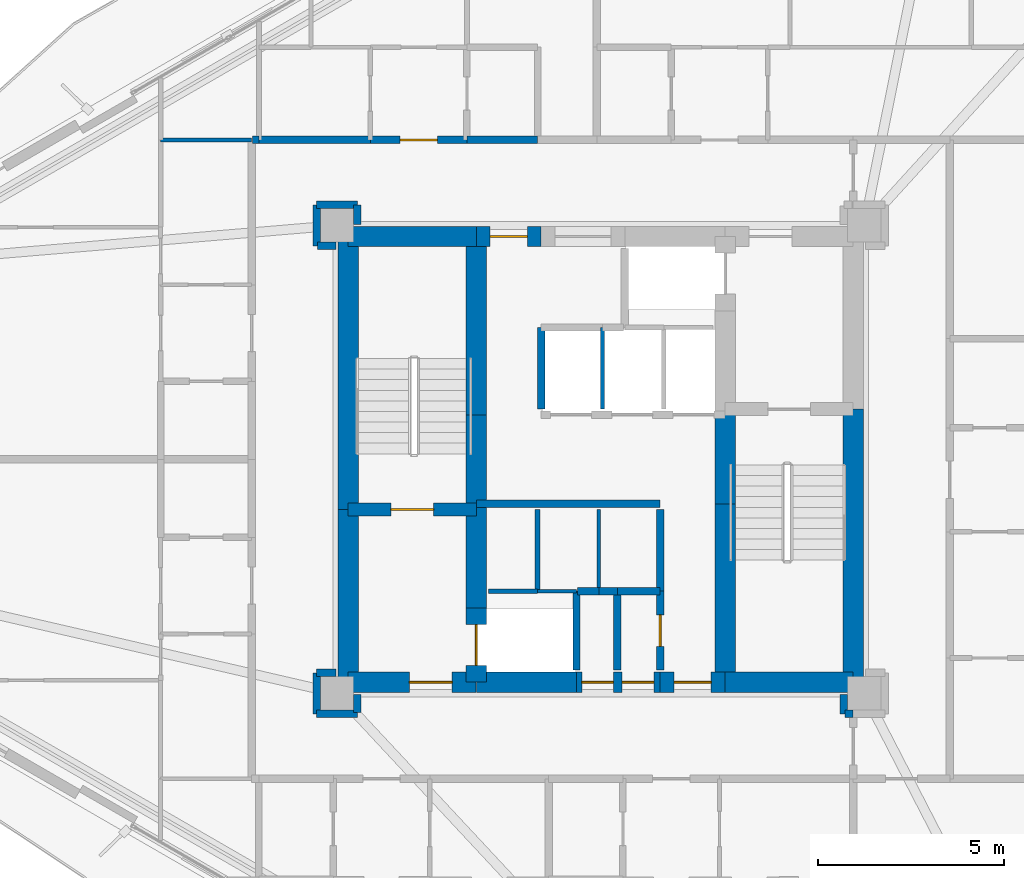
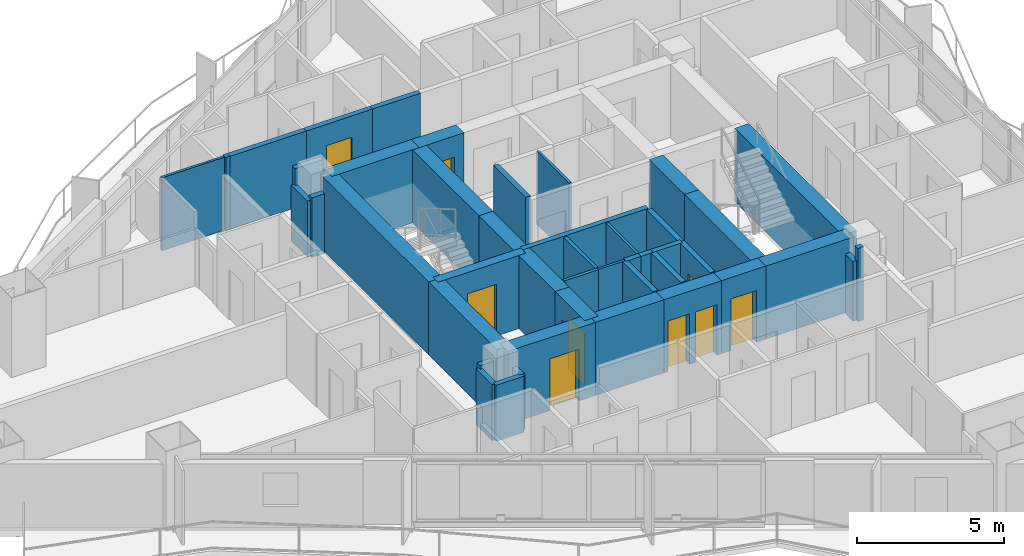
# One storey, part 13 of 18: 46 walls, 9 doors, 9 openings.
"""IFC4 building model written with IfcOpenShell, lengths in metres."""

import ifcopenshell
import ifcopenshell.guid

model = None  # the IFC model being written
_history = None  # IfcOwnerHistory: only IFC2X3 demands one
_inside = {}  # id of a spatial element -> (the spatial element, [elements in it])
_under = {}  # id of a project, library or spatial element -> (it, [spatial elements below it])
_declared = {}  # id of a project -> (the project, [libraries it declares])
_typed = {}  # id of a type object -> (the type object, [elements of that type])
_made_of = {}  # id of a material, layer set ... -> (it, [elements and type objects made of it])


def new_model(schema):
    """Start an empty IFC model of exactly this schema.

    Asked for "IFC4X3", IfcOpenShell would pick the latest addendum, in which some entities
    have other attributes; the version numbers below select the first issue.
    IFC2X3 requires an IfcOwnerHistory on every rooted entity: one is made here for all.
    """
    global model, _history
    if schema == "IFC4X3":
        model = ifcopenshell.file(schema_version=(4, 3, 0, 0))
    else:
        model = ifcopenshell.file(schema=schema)
    _inside.clear()
    _under.clear()
    _declared.clear()
    _typed.clear()
    _made_of.clear()
    _history = None
    if model.schema == "IFC2X3":
        org = make("IfcOrganization", Name="unknown")
        user = make(
            "IfcPersonAndOrganization",
            ThePerson=make("IfcPerson", FamilyName="unknown"),
            TheOrganization=org,
        )
        app = make(
            "IfcApplication",
            ApplicationDeveloper=org,
            Version="unknown",
            ApplicationFullName="unknown",
            ApplicationIdentifier="unknown",
        )
        _history = make(
            "IfcOwnerHistory",
            OwningUser=user,
            OwningApplication=app,
            ChangeAction="ADDED",
            CreationDate=0,
        )
    return model


def make(cls, **values):
    """One entity of the class cls with the attributes given. An attribute that is None is left unset."""
    return model.create_entity(
        cls, **{name: value for name, value in values.items() if value is not None}
    )


def rooted(cls, **values):
    """An entity with a GlobalId (a new one), such as an element, a storey or a relation."""
    return make(cls, GlobalId=ifcopenshell.guid.new(), OwnerHistory=_history, **values)


def si_unit(unit_type, name, prefix=None):
    """IfcSIUnit, for example si_unit("LENGTHUNIT", "METRE", prefix="MILLI")."""
    return make("IfcSIUnit", UnitType=unit_type, Prefix=prefix, Name=name)


def assignment(units):
    """IfcUnitAssignment: the units of a project."""
    return None if units is None else make("IfcUnitAssignment", Units=units)


def point(xyz):
    """IfcCartesianPoint."""
    return None if xyz is None else make("IfcCartesianPoint", Coordinates=xyz)


def direction(xyz):
    """IfcDirection."""
    return None if xyz is None else make("IfcDirection", DirectionRatios=xyz)


def frame(location, z_axis=None, x_axis=None):
    """IfcAxis2Placement3D, a coordinate frame: its origin and axes. An axis left out is left unset."""
    return make(
        "IfcAxis2Placement3D",
        Location=point(location),
        Axis=direction(z_axis),
        RefDirection=direction(x_axis),
    )


def frame_2d(location, x_axis=None):
    """IfcAxis2Placement2D, a coordinate frame in the plane: its origin and x axis."""
    return make(
        "IfcAxis2Placement2D", Location=point(location), RefDirection=direction(x_axis)
    )


def origin():
    """The frame at (0, 0, 0) with its axes left unset."""
    return frame((0.0, 0.0, 0.0))


def place(relative_to, where):
    """IfcLocalPlacement: puts the frame where relative to a parent placement (None: the world)."""
    return make(
        "IfcLocalPlacement", PlacementRelTo=relative_to, RelativePlacement=where
    )


def context(
    kind, dimensions, precision=None, world=None, true_north=None, identifier=None
):
    """IfcGeometricRepresentationContext, for example the 3D "Model" context."""
    return make(
        "IfcGeometricRepresentationContext",
        ContextIdentifier=identifier,
        ContextType=kind,
        CoordinateSpaceDimension=dimensions,
        Precision=precision,
        WorldCoordinateSystem=world,
        TrueNorth=true_north,
    )


def subcontext(parent, identifier, kind, view, scale=None):
    """IfcGeometricRepresentationSubContext, for example "Body" below "Model"."""
    return make(
        "IfcGeometricRepresentationSubContext",
        ContextIdentifier=identifier,
        ContextType=kind,
        ParentContext=parent,
        TargetScale=scale,
        TargetView=view,
    )


def project(units=None, contexts=None):
    """IfcProject with its units and contexts."""
    return rooted(
        "IfcProject",
        Name="project",
        RepresentationContexts=contexts,
        UnitsInContext=assignment(units),
    )


def spatial(cls, under=None, at=None, **own):
    """A site, building, storey or space (cls), placed at a placement, below another one or the project."""
    s = rooted(cls, ObjectPlacement=at, **own)
    if under is not None:
        _under.setdefault(under.id(), (under, []))[1].append(s)
    return s


def profile(cls, at=None, kind="AREA", **sizes):
    """A parametric profile (cls). Its sizes go by their IFC names, for example OverallWidth=200.0."""
    return make(cls, ProfileType=kind, Position=at, **sizes)


def rectangle(**sizes):
    """IfcRectangleProfileDef."""
    return profile("IfcRectangleProfileDef", **sizes)


def extrude(swept, where, along, depth):
    """IfcExtrudedAreaSolid: the profile swept, set in the frame where, extruded along a direction by depth."""
    return make(
        "IfcExtrudedAreaSolid",
        SweptArea=swept,
        Position=where,
        ExtrudedDirection=direction(along),
        Depth=depth,
    )


def shape(context_of_items, identifier, shape_type, items):
    """IfcShapeRepresentation: the items that make up one representation, for example the "Body"."""
    return make(
        "IfcShapeRepresentation",
        ContextOfItems=context_of_items,
        RepresentationIdentifier=identifier,
        RepresentationType=shape_type,
        Items=items,
    )


def material(Name=None, Category=None):
    """IfcMaterial."""
    return make("IfcMaterial", Name=Name, Category=Category)


def layer(
    of_material, thickness, ventilated=None, Name=None, Category=None, Priority=None
):
    """IfcMaterialLayer: one layer of a wall or slab, of a material (None: an air gap)."""
    return make(
        "IfcMaterialLayer",
        Material=of_material,
        LayerThickness=thickness,
        IsVentilated=ventilated,
        Name=Name,
        Category=Category,
        Priority=Priority,
    )


def layer_set(layers, Name=None):
    """IfcMaterialLayerSet."""
    return make("IfcMaterialLayerSet", MaterialLayers=layers, LayerSetName=Name)


def made_of(thing, what):
    """Note that an element or type object is made of a material, layer set ...; save() writes the relation."""
    if what is not None:
        _made_of.setdefault(what.id(), (what, []))[1].append(thing)
    return thing


def type_object(cls, material=None, **own):
    """A type object (cls), such as IfcWallType, which elements share."""
    return made_of(rooted(cls, **own), material)


def element(
    cls,
    number,
    at=None,
    inside=None,
    cuts=None,
    type_object=None,
    material=None,
    context=None,
    identifier="Body",
    shape_type=None,
    held_by="IfcProductDefinitionShape",
    body=None,
    shapes=None,
    **own,
):
    """One element of the class cls, such as IfcWall. Its Tag is "e" and its number.

    at: its placement. inside: the storey or other place that contains it. cuts: it is an
    opening in that element (IfcRelVoidsElement). A single representation is given by context,
    identifier, shape_type and body (its items); several are given by shapes. held_by: the class
    of the entity that holds the representations. save() writes the other relations.
    """
    e = rooted(cls, Tag="e%d" % number, ObjectPlacement=at, **own)
    if body is not None:
        shapes = [shape(context, identifier, shape_type, body)]
    if shapes is not None:
        e.Representation = make(held_by, Representations=shapes)
    if inside is not None:
        _inside.setdefault(inside.id(), (inside, []))[1].append(e)
    if cuts is not None:
        rooted(
            "IfcRelVoidsElement", RelatingBuildingElement=cuts, RelatedOpeningElement=e
        )
    if type_object is not None:
        _typed.setdefault(type_object.id(), (type_object, []))[1].append(e)
    return made_of(e, material)


def fill(opening, filler):
    """IfcRelFillsElement: the door or window that sits in an opening."""
    return rooted(
        "IfcRelFillsElement",
        RelatingOpeningElement=opening,
        RelatedBuildingElement=filler,
    )


def aggregate(whole, parts):
    """IfcRelAggregates: a whole, such as a stair, and the parts it consists of."""
    return rooted("IfcRelAggregates", RelatingObject=whole, RelatedObjects=parts)


def save(model, path):
    """Write the relations noted so far, then the file.

    IfcRelAggregates (storeys below a building ...), IfcRelContainedInSpatialStructure (elements
    in a storey), IfcRelDefinesByType, IfcRelAssociatesMaterial and IfcRelDeclares: one each for
    every whole, place, type object, material and project.
    """
    for whole, parts in _under.values():
        aggregate(whole, parts)
    for where, things in _inside.values():
        rooted(
            "IfcRelContainedInSpatialStructure",
            RelatedElements=things,
            RelatingStructure=where,
        )
    for kind, things in _typed.values():
        rooted("IfcRelDefinesByType", RelatedObjects=things, RelatingType=kind)
    for what, things in _made_of.values():
        rooted("IfcRelAssociatesMaterial", RelatedObjects=things, RelatingMaterial=what)
    for by, libraries in _declared.values():
        rooted("IfcRelDeclares", RelatingContext=by, RelatedDefinitions=libraries)
    model.write(path)


model = new_model("IFC4")

# Units and contexts
model_context = context("Model", 3, precision=1e-05, world=origin(), true_north=direction((0.0, 1.0)))
body_context = subcontext(model_context, "Body", "Model", "MODEL_VIEW")
ifc_project = project(units=[si_unit("LENGTHUNIT", "METRE"), si_unit("AREAUNIT", "SQUARE_METRE"), si_unit("VOLUMEUNIT", "CUBIC_METRE"), si_unit("PLANEANGLEUNIT", "RADIAN"), si_unit("MASSUNIT", "GRAM", prefix="KILO")], contexts=[model_context])

# Site, building, storey
site_placement = place(None, origin())
site = spatial("IfcSite", under=ifc_project, at=site_placement, CompositionType="ELEMENT")
building_placement = place(site_placement, origin())
building = spatial("IfcBuilding", under=site, at=building_placement, Name="Mersakhor Tower and Convention Hall", CompositionType="ELEMENT")
storey_placement = place(building_placement, frame((0.0, 0.0, 39.0)))
storey = spatial("IfcBuildingStorey", under=building, at=storey_placement, Name="L10", CompositionType="ELEMENT", Elevation=39.0)

# Walls
ifc_material_1 = material(Name="Lightweight gypsum partition", Category="other")
ifc_layer_1 = layer(ifc_material_1, 0.10009765625)
ifc_layer_set_1 = layer_set([ifc_layer_1], Name="Lightweight gypsum partition")
wall_type_1 = type_object("IfcWallType", Name="WL-PRT-100", PredefinedType="PARTITIONING", material=ifc_layer_set_1)
wall_1_placement = place(storey_placement, frame((27.300048828125, 23.199951171875, 0.0), z_axis=(0.0, 0.0, 1.0), x_axis=(1.0, 0.0, 0.0)))
element("IfcWall", 1, at=wall_1_placement, inside=storey, type_object=wall_type_1, Name="L10 Interior Partition Wall P-002", PredefinedType="PARTITIONING", context=body_context, shape_type="SweptSolid", body=[
    extrude(rectangle(XDim=1.050048828125, YDim=0.10009765625, at=frame_2d((0.52490234375, 0.0))), origin(), (0.0, 0.0, 1.0), 3.0400390625),
])
for number, where, z_axis, x_axis, name in (
    (2, (28.949951171875, 25.39990234375, 0.0), (0.0, 0.0, 1.0), (0.0, -1.0, 0.0), "L10 Interior Partition Wall P-008"),
    (3, (29.050048828125, 30.300048828125, 0.0), (0.0, 0.0, 1.0), (0.0, -1.0, 0.0), "L10 Interior Partition Wall P-014"),
):
    element("IfcWall", number, at=place(storey_placement, frame(where, z_axis=z_axis, x_axis=x_axis)), inside=storey, type_object=wall_type_1, Name=name, PredefinedType="PARTITIONING", context=body_context, shape_type="SweptSolid", body=[
        extrude(rectangle(XDim=2.199951171875, YDim=0.10009765625, at=frame_2d((1.10009765625, 0.0))), origin(), (0.0, 0.0, 1.0), 3.0400390625),
    ])
wall_2_placement = place(storey_placement, frame((17.14990234375, 35.35009765625, 0.0), z_axis=(0.0, 0.0, 1.0), x_axis=(1.0, 0.0, 0.0)))
element("IfcWall", 4, at=wall_2_placement, inside=storey, type_object=wall_type_1, Name="L10 Interior Partition Wall P-112", PredefinedType="PARTITIONING", context=body_context, shape_type="SweptSolid", body=[
    extrude(rectangle(XDim=2.4501953125, YDim=0.10009765625, at=frame_2d((1.22509765625, 0.0))), origin(), (0.0, 0.0, 1.0), 3.0400390625),
])
ifc_material_2 = material(Name="Gypsum board acoustic partition", Category="other")
ifc_layer_2 = layer(ifc_material_2, 0.125)
ifc_layer_set_2 = layer_set([ifc_layer_2], Name="Gypsum board acoustic partition")
wall_type_2 = type_object("IfcWallType", Name="WL-PRT-125", PredefinedType="PARTITIONING", material=ifc_layer_set_2)
wall_3_placement = place(storey_placement, frame((25.97509765625, 23.199951171875, 0.0), z_axis=(0.0, 0.0, 1.0), x_axis=(1.0, 0.0, 0.0)))
element("IfcWall", 5, at=wall_3_placement, inside=storey, type_object=wall_type_2, Name="L10 Interior Partition Wall P-001", PredefinedType="PARTITIONING", context=body_context, shape_type="SweptSolid", body=[
    extrude(rectangle(XDim=1.324951171875, YDim=0.125, at=frame_2d((0.66259765625, 0.0))), origin(), (0.0, 0.0, 1.0), 3.0400390625),
])
wall_4_placement = place(storey_placement, frame((27.300048828125, 25.39990234375, 0.0), z_axis=(0.0, 0.0, 1.0), x_axis=(0.0, -1.0, 0.0)))
element("IfcWall", 6, at=wall_4_placement, inside=storey, type_object=wall_type_2, Name="L10 Interior Partition Wall P-007", PredefinedType="PARTITIONING", context=body_context, shape_type="SweptSolid", body=[
    extrude(rectangle(XDim=2.199951171875, YDim=0.125, at=frame_2d((1.10009765625, 0.0))), origin(), (0.0, 0.0, 1.0), 3.0400390625),
])
ifc_material_3 = material(Name="Acoustic concrete blockwork and gypsum board", Category="masonry")
ifc_layer_3 = layer(ifc_material_3, 0.199951171875)
ifc_layer_set_3 = layer_set([ifc_layer_3], Name="Acoustic concrete blockwork and gypsum board")
wall_type_3 = type_object("IfcWallType", Name="WL-PRT-200", PredefinedType="PARTITIONING", material=ifc_layer_set_3)
wall_5_placement = place(storey_placement, frame((25.64990234375, 25.550048828125, 0.0), z_axis=(0.0, 0.0, 1.0), x_axis=(1.0, 0.0, 0.0)))
element("IfcWall", 7, at=wall_5_placement, inside=storey, type_object=wall_type_3, Name="L10 High-Rise Lift Bank Front Wall", PredefinedType="PARTITIONING", context=body_context, shape_type="SweptSolid", body=[
    extrude(rectangle(XDim=4.9501953125, YDim=0.199951171875, at=frame_2d((2.47509765625, 0.0))), origin(), (0.0, 0.0, 1.0), 3.0400390625),
])
wall_6_placement = place(storey_placement, frame((28.35009765625, 23.199951171875, 0.0), z_axis=(0.0, 0.0, 1.0), x_axis=(0.0, -1.0, 0.0)))
element("IfcWall", 8, at=wall_6_placement, inside=storey, type_object=wall_type_3, Name="L10 Interior Partition Wall P-003", PredefinedType="PARTITIONING", context=body_context, shape_type="SweptSolid", body=[
    extrude(rectangle(XDim=2.125, YDim=0.199951171875, at=frame_2d((1.0625, 0.0))), origin(), (0.0, 0.0, 1.0), 3.0400390625),
])
wall_7_placement = place(storey_placement, frame((28.949951171875, 23.199951171875, 0.0), z_axis=(0.0, 0.0, 1.0), x_axis=(-1.0, 0.0, 0.0)))
element("IfcWall", 9, at=wall_7_placement, inside=storey, type_object=wall_type_3, Name="L10 Interior Partition Wall P-009", PredefinedType="PARTITIONING", context=body_context, shape_type="SweptSolid", body=[
    extrude(rectangle(XDim=0.570068359375, YDim=0.199951171875, at=frame_2d((0.28515625, 0.0))), origin(), (0.0, 0.0, 1.0), 3.0400390625),
])
wall_8_placement = place(storey_placement, frame((30.60009765625, 25.39990234375, 0.0), z_axis=(0.0, 0.0, 1.0), x_axis=(0.0, -1.0, 0.0)))
element("IfcWall", 10, at=wall_8_placement, inside=storey, type_object=wall_type_3, Name="L10 Interior Partition Wall P-010", PredefinedType="PARTITIONING", context=body_context, shape_type="SweptSolid", body=[
    extrude(rectangle(XDim=2.199951171875, YDim=0.199951171875, at=frame_2d((1.10009765625, 0.0))), origin(), (0.0, 0.0, 1.0), 3.0400390625),
])
wall_9_placement = place(storey_placement, frame((30.60009765625, 23.199951171875, 0.0), z_axis=(0.0, 0.0, 1.0), x_axis=(-1.0, 0.0, 0.0)))
element("IfcWall", 11, at=wall_9_placement, inside=storey, type_object=wall_type_3, Name="L10 Interior Partition Wall P-011", PredefinedType="PARTITIONING", context=body_context, shape_type="SweptSolid", body=[
    extrude(rectangle(XDim=1.150146484375, YDim=0.199951171875, at=frame_2d((0.5751953125, 0.0))), origin(), (0.0, 0.0, 1.0), 3.0400390625),
])
wall_10_placement = place(storey_placement, frame((29.449951171875, 23.199951171875, 0.0), z_axis=(0.0, 0.0, 1.0), x_axis=(-1.0, 0.0, 0.0)))
element("IfcWall", 12, at=wall_10_placement, inside=storey, type_object=wall_type_3, Name="L10 Interior Partition Wall P-012", PredefinedType="PARTITIONING", context=body_context, shape_type="SweptSolid", body=[
    extrude(rectangle(XDim=0.5, YDim=0.199951171875, at=frame_2d((0.25, 0.0))), origin(), (0.0, 0.0, 1.0), 3.0400390625),
])
wall_11_placement = place(storey_placement, frame((27.39990234375, 28.10009765625, 0.0), z_axis=(0.0, 0.0, 1.0), x_axis=(0.0, 1.0, 0.0)))
element("IfcWall", 13, at=wall_11_placement, inside=storey, type_object=wall_type_3, Name="L10 Interior Partition Wall P-015", PredefinedType="PARTITIONING", context=body_context, shape_type="SweptSolid", body=[
    extrude(rectangle(XDim=2.199951171875, YDim=0.199951171875, at=frame_2d((1.10009765625, 0.0))), origin(), (0.0, 0.0, 1.0), 3.0400390625),
])

# Wall, opening, door
wall_12_placement = place(storey_placement, frame((30.60009765625, 21.074951171875, 0.0), z_axis=(0.0, 0.0, 1.0), x_axis=(0.0, 1.0, 0.0)))
wall_12 = element("IfcWall", 14, at=wall_12_placement, inside=storey, type_object=wall_type_3, Name="L10 Interior Partition Wall P-018", PredefinedType="PARTITIONING", context=body_context, shape_type="SweptSolid", body=[
    extrude(rectangle(XDim=2.125, YDim=0.199951171875, at=frame_2d((1.0625, 0.0))), origin(), (0.0, 0.0, 1.0), 3.0400390625),
])
opening_1_placement = place(wall_12_placement, frame((0.637451171875, 0.0, 0.0)))
opening_1 = element("IfcOpeningElement", 15, at=opening_1_placement, cuts=wall_12, Name="Opening SVD-01", PredefinedType="OPENING", context=body_context, shape_type="SweptSolid", body=[
    extrude(rectangle(XDim=0.85009765625, YDim=2.10009765625, at=frame_2d((0.425048828125, 1.050048828125))), frame((0.0, 0.10986328125, 0.0), z_axis=(0.0, -1.0, 0.0), x_axis=(1.0, 0.0, 0.0)), (0.0, 0.0, 1.0), 0.219970703125),
])
ifc_material_4 = material(Name="Fire-rated hardwood leaf and painted steel frame", Category="steel")
door_type_1 = type_object("IfcDoorType", Name="DR-INT-SVC-085x210", OperationType="NOTDEFINED", PredefinedType="DOOR", material=ifc_material_4)
door_1_placement = place(opening_1_placement, origin())
door_1 = element("IfcDoor", 16, at=door_1_placement, inside=storey, type_object=door_type_1, Name="L10 Central Passenger Lift Lobby to Core Maintenance Store Room Door", OperationType="SINGLE_SWING_LEFT", OverallHeight=2.10009765625, OverallWidth=0.85009765625, PredefinedType="DOOR", context=body_context, shape_type="SweptSolid", body=[
    extrude(rectangle(XDim=0.85009765625, YDim=2.10009765625, at=frame_2d((0.425048828125, 1.050048828125))), frame((0.0, 0.02490234375, 0.0), z_axis=(0.0, -1.0, 0.0), x_axis=(1.0, 0.0, 0.0)), (0.0, 0.0, 1.0), 0.050048828125),
])
fill(opening_1, door_1)

# Walls
wall_13_placement = place(storey_placement, frame((21.35009765625, 19.89990234375, 0.0), z_axis=(0.0, 0.0, 1.0), x_axis=(1.0, 0.0, 0.0)))
element("IfcWall", 17, at=wall_13_placement, inside=storey, type_object=wall_type_3, Name="L10 Interior Partition Wall P-019", PredefinedType="PARTITIONING", context=body_context, shape_type="SweptSolid", body=[
    extrude(rectangle(XDim=1.099853515625, YDim=0.199951171875, at=frame_2d((0.5498046875, 0.0))), origin(), (0.0, 0.0, 1.0), 2.33740234375),
])
wall_14_placement = place(storey_placement, frame((22.449951171875, 19.929931640625, 0.0), z_axis=(0.0, 0.0, 1.0), x_axis=(0.0, 1.0, 0.0)))
element("IfcWall", 18, at=wall_14_placement, inside=storey, type_object=wall_type_3, Name="L10 Interior Partition Wall P-020", PredefinedType="PARTITIONING", context=body_context, shape_type="SweptSolid", body=[
    extrude(rectangle(XDim=0.4951171875, YDim=0.199951171875, at=frame_2d((0.24755859375, 0.0))), origin(), (0.0, 0.0, 1.0), 2.33740234375),
])
wall_15_placement = place(storey_placement, frame((35.550048828125, 20.425048828125, 0.0), z_axis=(0.0, 0.0, 1.0), x_axis=(0.0, -1.0, 0.0)))
element("IfcWall", 19, at=wall_15_placement, inside=storey, type_object=wall_type_3, Name="L10 Interior Partition Wall P-021", PredefinedType="PARTITIONING", context=body_context, shape_type="SweptSolid", body=[
    extrude(rectangle(XDim=0.525146484375, YDim=0.199951171875, at=frame_2d((0.2626953125, 0.0))), origin(), (0.0, 0.0, 1.0), 2.48828125),
])
wall_16_placement = place(storey_placement, frame((35.580078125, 19.89990234375, 0.0), z_axis=(0.0, 0.0, 1.0), x_axis=(1.0, 0.0, 0.0)))
element("IfcWall", 20, at=wall_16_placement, inside=storey, type_object=wall_type_3, Name="L10 Interior Partition Wall P-022", PredefinedType="PARTITIONING", context=body_context, shape_type="SweptSolid", body=[
    extrude(rectangle(XDim=0.219970703125, YDim=0.199951171875, at=frame_2d((0.10986328125, 0.0))), origin(), (0.0, 0.0, 1.0), 3.0400390625),
])
wall_17_placement = place(storey_placement, frame((19.6298828125, 35.35009765625, 0.0), z_axis=(0.0, 0.0, 1.0), x_axis=(1.0, 0.0, 0.0)))
element("IfcWall", 21, at=wall_17_placement, inside=storey, type_object=wall_type_3, Name="L10 Interior Partition Wall P-037", PredefinedType="PARTITIONING", context=body_context, shape_type="SweptSolid", body=[
    extrude(rectangle(XDim=0.170166015625, YDim=0.199951171875, at=frame_2d((0.0849609375, 0.0))), origin(), (0.0, 0.0, 1.0), 3.0400390625),
])
wall_18_placement = place(storey_placement, frame((19.800048828125, 35.35009765625, 0.0), z_axis=(0.0, 0.0, 1.0), x_axis=(1.0, 0.0, 0.0)))
element("IfcWall", 22, at=wall_18_placement, inside=storey, type_object=wall_type_3, Name="L10 Interior Partition Wall P-038", PredefinedType="PARTITIONING", context=body_context, shape_type="SweptSolid", body=[
    extrude(rectangle(XDim=3.0, YDim=0.199951171875, at=frame_2d((1.5, 0.0))), origin(), (0.0, 0.0, 1.0), 3.0400390625),
])

# Wall, opening, door
wall_19_placement = place(storey_placement, frame((22.800048828125, 35.35009765625, 0.0), z_axis=(0.0, 0.0, 1.0), x_axis=(1.0, 0.0, 0.0)))
wall_19 = element("IfcWall", 23, at=wall_19_placement, inside=storey, type_object=wall_type_3, Name="L10 Interior Partition Wall P-039", PredefinedType="PARTITIONING", context=body_context, shape_type="SweptSolid", body=[
    extrude(rectangle(XDim=2.599853515625, YDim=0.199951171875, at=frame_2d((1.2998046875, 0.0))), origin(), (0.0, 0.0, 1.0), 3.0400390625),
])
opening_2_placement = place(wall_19_placement, frame((0.800048828125, 0.0, 0.0)))
opening_2 = element("IfcOpeningElement", 24, at=opening_2_placement, cuts=wall_19, Name="Opening FD-01", PredefinedType="OPENING", context=body_context, shape_type="SweptSolid", body=[
    extrude(rectangle(XDim=1.0, YDim=2.14990234375, at=frame_2d((0.5, 1.074951171875))), frame((0.0, 0.10986328125, 0.0), z_axis=(0.0, -1.0, 0.0), x_axis=(1.0, 0.0, 0.0)), (0.0, 0.0, 1.0), 0.219970703125),
])
ifc_material_5 = material(Name="Fire-rated hardwood leaf and painted steel frame", Category="steel")
door_type_2 = type_object("IfcDoorType", Name="DR-INT-FLT-100x215", OperationType="NOTDEFINED", PredefinedType="DOOR", material=ifc_material_5)
door_2_placement = place(opening_2_placement, origin())
door_2 = element("IfcDoor", 25, at=door_2_placement, inside=storey, type_object=door_type_2, Name="L10 Apartment Entrance Door (Residential Ring Corridor to L10 Flat N1 Apartment Hall)", OperationType="SINGLE_SWING_RIGHT", OverallHeight=2.14990234375, OverallWidth=1.0, PredefinedType="DOOR", context=body_context, shape_type="SweptSolid", body=[
    extrude(rectangle(XDim=1.0, YDim=2.14990234375, at=frame_2d((0.5, 1.074951171875))), frame((0.0, 0.02490234375, 0.0), z_axis=(0.0, -1.0, 0.0), x_axis=(1.0, 0.0, 0.0)), (0.0, 0.0, 1.0), 0.050048828125),
])
fill(opening_2, door_2)

# Walls
wall_20_placement = place(storey_placement, frame((25.39990234375, 35.35009765625, 0.0), z_axis=(0.0, 0.0, 1.0), x_axis=(1.0, 0.0, 0.0)))
element("IfcWall", 26, at=wall_20_placement, inside=storey, type_object=wall_type_3, Name="L10 Interior Partition Wall P-040", PredefinedType="PARTITIONING", context=body_context, shape_type="SweptSolid", body=[
    extrude(rectangle(XDim=1.900146484375, YDim=0.199951171875, at=frame_2d((0.9501953125, 0.0))), origin(), (0.0, 0.0, 1.0), 3.0400390625),
])
wall_21_placement = place(storey_placement, frame((22.449951171875, 33.074951171875, 0.0), z_axis=(0.0, 0.0, 1.0), x_axis=(0.0, 1.0, 0.0)))
element("IfcWall", 27, at=wall_21_placement, inside=storey, type_object=wall_type_3, Name="L10 Interior Partition Wall P-048", PredefinedType="PARTITIONING", context=body_context, shape_type="SweptSolid", body=[
    extrude(rectangle(XDim=0.525146484375, YDim=0.199951171875, at=frame_2d((0.2626953125, 0.0))), origin(), (0.0, 0.0, 1.0), 2.48828125),
])
wall_22_placement = place(storey_placement, frame((22.449951171875, 33.60009765625, 0.0), z_axis=(0.0, 0.0, 1.0), x_axis=(-1.0, 0.0, 0.0)))
element("IfcWall", 28, at=wall_22_placement, inside=storey, type_object=wall_type_3, Name="L10 Interior Partition Wall P-049", PredefinedType="PARTITIONING", context=body_context, shape_type="SweptSolid", body=[
    extrude(rectangle(XDim=1.099853515625, YDim=0.199951171875, at=frame_2d((0.5498046875, 0.0))), origin(), (0.0, 0.0, 1.0), 3.0400390625),
])
wall_23_placement = place(storey_placement, frame((21.35009765625, 33.60009765625, 0.0), z_axis=(0.0, 0.0, 1.0), x_axis=(0.0, -1.0, 0.0)))
element("IfcWall", 29, at=wall_23_placement, inside=storey, type_object=wall_type_3, Name="L10 Interior Partition Wall P-050", PredefinedType="PARTITIONING", context=body_context, shape_type="SweptSolid", body=[
    extrude(rectangle(XDim=1.10009765625, YDim=0.199951171875, at=frame_2d((0.550048828125, 0.0))), origin(), (0.0, 0.0, 1.0), 2.33740234375),
])
wall_24_placement = place(storey_placement, frame((21.3798828125, 32.5, 0.0), z_axis=(0.0, 0.0, 1.0), x_axis=(1.0, 0.0, 0.0)))
element("IfcWall", 30, at=wall_24_placement, inside=storey, type_object=wall_type_3, Name="L10 Interior Partition Wall P-051", PredefinedType="PARTITIONING", context=body_context, shape_type="SweptSolid", body=[
    extrude(rectangle(XDim=0.4951171875, YDim=0.199951171875, at=frame_2d((0.24755859375, 0.0))), origin(), (0.0, 0.0, 1.0), 2.48828125),
])
wall_25_placement = place(storey_placement, frame((21.875, 21.0, 0.0), z_axis=(0.0, 0.0, 1.0), x_axis=(-1.0, 0.0, 0.0)))
element("IfcWall", 31, at=wall_25_placement, inside=storey, type_object=wall_type_3, Name="L10 Interior Partition Wall P-052", PredefinedType="PARTITIONING", context=body_context, shape_type="SweptSolid", body=[
    extrude(rectangle(XDim=0.52490234375, YDim=0.199951171875, at=frame_2d((0.262451171875, 0.0))), origin(), (0.0, 0.0, 1.0), 2.48828125),
])
wall_26_placement = place(storey_placement, frame((21.35009765625, 21.0, 0.0), z_axis=(0.0, 0.0, 1.0), x_axis=(0.0, -1.0, 0.0)))
element("IfcWall", 32, at=wall_26_placement, inside=storey, type_object=wall_type_3, Name="L10 Interior Partition Wall P-053", PredefinedType="PARTITIONING", context=body_context, shape_type="SweptSolid", body=[
    extrude(rectangle(XDim=1.10009765625, YDim=0.199951171875, at=frame_2d((0.550048828125, 0.0))), origin(), (0.0, 0.0, 1.0), 2.33740234375),
])
wall_27_placement = place(storey_placement, frame((29.449951171875, 23.199951171875, 0.0), z_axis=(0.0, 0.0, 1.0), x_axis=(0.0, -1.0, 0.0)))
element("IfcWall", 33, at=wall_27_placement, inside=storey, type_object=wall_type_3, Name="L10 Interior Partition Wall P-122", PredefinedType="PARTITIONING", context=body_context, shape_type="SweptSolid", body=[
    extrude(rectangle(XDim=2.125, YDim=0.199951171875, at=frame_2d((1.0625, 0.0))), origin(), (0.0, 0.0, 1.0), 3.0400390625),
])

# Wall, opening, door
ifc_material_6 = material(Name="Concrete C50/60", Category="concrete")
ifc_layer_4 = layer(ifc_material_6, 0.35009765625)
ifc_layer_set_4 = layer_set([ifc_layer_4], Name="Concrete C50/60")
wall_type_4 = type_object("IfcWallType", Name="WL-SHR-350", PredefinedType="SHEAR", material=ifc_layer_set_4)
wall_28_placement = place(storey_placement, frame((22.199951171875, 25.39990234375, 0.0), z_axis=(0.0, 0.0, 1.0), x_axis=(1.0, 0.0, 0.0)))
wall_28 = element("IfcWall", 34, at=wall_28_placement, inside=storey, type_object=wall_type_4, Name="L10 Core Wall CS-ST1-S", PredefinedType="SHEAR", context=body_context, shape_type="SweptSolid", body=[
    extrude(rectangle(XDim=3.449951171875, YDim=0.35009765625, at=frame_2d((1.72509765625, 0.0))), origin(), (0.0, 0.0, 1.0), 3.0400390625),
])
opening_3_placement = place(wall_28_placement, frame((1.14990234375, 0.0, 0.0)))
opening_3 = element("IfcOpeningElement", 35, at=opening_3_placement, cuts=wall_28, Name="Opening SD-01", PredefinedType="OPENING", context=body_context, shape_type="SweptSolid", body=[
    extrude(rectangle(XDim=1.14990234375, YDim=2.14990234375, at=frame_2d((0.574951171875, 1.074951171875))), frame((0.0, 0.18505859375, 0.0), z_axis=(0.0, -1.0, 0.0), x_axis=(1.0, 0.0, 0.0)), (0.0, 0.0, 1.0), 0.3701171875),
])
ifc_material_7 = material(Name="Fire-rated hardwood leaf and painted steel frame", Category="steel")
door_type_3 = type_object("IfcDoorType", Name="DR-INT-STAIR-115x215", OperationType="NOTDEFINED", PredefinedType="DOOR", material=ifc_material_7)
door_3_placement = place(opening_3_placement, origin())
door_3 = element("IfcDoor", 36, at=door_3_placement, inside=storey, type_object=door_type_3, Name="L10 Exit Stair ST-1 Enclosure Door", OperationType="SINGLE_SWING_LEFT", OverallHeight=2.14990234375, OverallWidth=1.14990234375, PredefinedType="DOOR", context=body_context, shape_type="SweptSolid", body=[
    extrude(rectangle(XDim=1.14990234375, YDim=2.14990234375, at=frame_2d((0.574951171875, 1.074951171875))), frame((0.0, 0.02490234375, 0.0), z_axis=(0.0, -1.0, 0.0), x_axis=(1.0, 0.0, 0.0)), (0.0, 0.0, 1.0), 0.050048828125),
])
fill(opening_3, door_3)

# Walls
ifc_material_8 = material(Name="Concrete C70/85", Category="concrete")
ifc_layer_5 = layer(ifc_material_8, 0.550048828125)
ifc_layer_set_5 = layer_set([ifc_layer_5], Name="Concrete C70/85")
wall_type_5 = type_object("IfcWallType", Name="WL-SHR-550", PredefinedType="SHEAR", material=ifc_layer_set_5)
wall_29_placement = place(storey_placement, frame((22.199951171875, 20.75, 0.0), z_axis=(0.0, 0.0, 1.0), x_axis=(0.0, 1.0, 0.0)))
element("IfcWall", 37, at=wall_29_placement, inside=storey, type_object=wall_type_5, Name="L10 Core Wall CW-W1", PredefinedType="SHEAR", context=body_context, shape_type="SweptSolid", body=[
    extrude(rectangle(XDim=4.64990234375, YDim=0.550048828125, at=frame_2d((2.324951171875, 0.0))), origin(), (0.0, 0.0, 1.0), 3.0400390625),
])
wall_30_placement = place(storey_placement, frame((22.199951171875, 25.39990234375, 0.0), z_axis=(0.0, 0.0, 1.0), x_axis=(0.0, 1.0, 0.0)))
element("IfcWall", 38, at=wall_30_placement, inside=storey, type_object=wall_type_5, Name="L10 Core Wall CW-W2", PredefinedType="SHEAR", context=body_context, shape_type="SweptSolid", body=[
    extrude(rectangle(XDim=7.35009765625, YDim=0.550048828125, at=frame_2d((3.675048828125, 0.0))), origin(), (0.0, 0.0, 1.0), 3.0400390625),
])
wall_31_placement = place(storey_placement, frame((22.199951171875, 32.75, 0.0), z_axis=(0.0, 0.0, 1.0), x_axis=(1.0, 0.0, 0.0)))
element("IfcWall", 39, at=wall_31_placement, inside=storey, type_object=wall_type_5, Name="L10 Core Wall CW-N1", PredefinedType="SHEAR", context=body_context, shape_type="SweptSolid", body=[
    extrude(rectangle(XDim=3.449951171875, YDim=0.550048828125, at=frame_2d((1.72509765625, 0.0))), origin(), (0.0, 0.0, 1.0), 3.0400390625),
])

# Wall, opening, door
wall_32_placement = place(storey_placement, frame((25.64990234375, 32.75, 0.0), z_axis=(0.0, 0.0, 1.0), x_axis=(1.0, 0.0, 0.0)))
wall_32 = element("IfcWall", 40, at=wall_32_placement, inside=storey, type_object=wall_type_5, Name="L10 Core Wall CW-N2A", PredefinedType="SHEAR", context=body_context, shape_type="SweptSolid", body=[
    extrude(rectangle(XDim=1.75, YDim=0.550048828125, at=frame_2d((0.875, 0.0))), origin(), (0.0, 0.0, 1.0), 3.0400390625),
])
opening_4_placement = place(wall_32_placement, frame((0.375, 0.0, 0.0)))
opening_4 = element("IfcOpeningElement", 41, at=opening_4_placement, cuts=wall_32, Name="Opening CFD-01", PredefinedType="OPENING", context=body_context, shape_type="SweptSolid", body=[
    extrude(rectangle(XDim=1.0, YDim=2.14990234375, at=frame_2d((0.5, 1.074951171875))), frame((0.0, 0.284912109375, 0.0), z_axis=(0.0, -1.0, 0.0), x_axis=(1.0, 0.0, 0.0)), (0.0, 0.0, 1.0), 0.570068359375),
])
ifc_material_9 = material(Name="Fire-rated hardwood leaf and painted steel frame", Category="steel")
door_type_4 = type_object("IfcDoorType", Name="DR-CORE-FD-100x215", OperationType="NOTDEFINED", PredefinedType="DOOR", material=ifc_material_9)
door_4_placement = place(opening_4_placement, origin())
door_4 = element("IfcDoor", 42, at=door_4_placement, inside=storey, type_object=door_type_4, Name="L10 Lift Lobby North Corridor Door", OperationType="SINGLE_SWING_LEFT", OverallHeight=2.14990234375, OverallWidth=1.0, PredefinedType="DOOR", context=body_context, shape_type="SweptSolid", body=[
    extrude(rectangle(XDim=1.0, YDim=2.14990234375, at=frame_2d((0.5, 1.074951171875))), frame((0.0, 0.02490234375, 0.0), z_axis=(0.0, -1.0, 0.0), x_axis=(1.0, 0.0, 0.0)), (0.0, 0.0, 1.0), 0.050048828125),
])
fill(opening_4, door_4)

# Walls
wall_33_placement = place(storey_placement, frame((35.800048828125, 28.10009765625, 0.0), z_axis=(0.0, 0.0, 1.0), x_axis=(0.0, -1.0, 0.0)))
element("IfcWall", 43, at=wall_33_placement, inside=storey, type_object=wall_type_5, Name="L10 Core Wall CW-E2", PredefinedType="SHEAR", context=body_context, shape_type="SweptSolid", body=[
    extrude(rectangle(XDim=7.35009765625, YDim=0.550048828125, at=frame_2d((3.675048828125, 0.0))), origin(), (0.0, 0.0, 1.0), 3.0400390625),
])
wall_34_placement = place(storey_placement, frame((35.800048828125, 20.75, 0.0), z_axis=(0.0, 0.0, 1.0), x_axis=(-1.0, 0.0, 0.0)))
element("IfcWall", 44, at=wall_34_placement, inside=storey, type_object=wall_type_5, Name="L10 Core Wall CW-S1", PredefinedType="SHEAR", context=body_context, shape_type="SweptSolid", body=[
    extrude(rectangle(XDim=3.449951171875, YDim=0.550048828125, at=frame_2d((1.72509765625, 0.0))), origin(), (0.0, 0.0, 1.0), 3.0400390625),
])

# Wall, opening, door
wall_35_placement = place(storey_placement, frame((32.35009765625, 20.75, 0.0), z_axis=(0.0, 0.0, 1.0), x_axis=(-1.0, 0.0, 0.0)))
wall_35 = element("IfcWall", 45, at=wall_35_placement, inside=storey, type_object=wall_type_5, Name="L10 Core Wall CW-S2A", PredefinedType="SHEAR", context=body_context, shape_type="SweptSolid", body=[
    extrude(rectangle(XDim=1.75, YDim=0.550048828125, at=frame_2d((0.875, 0.0))), origin(), (0.0, 0.0, 1.0), 3.0400390625),
])
opening_5_placement = place(wall_35_placement, frame((0.375, 0.0, 0.0)))
opening_5 = element("IfcOpeningElement", 46, at=opening_5_placement, cuts=wall_35, Name="Opening CFD-01", PredefinedType="OPENING", context=body_context, shape_type="SweptSolid", body=[
    extrude(rectangle(XDim=1.0, YDim=2.14990234375, at=frame_2d((0.5, 1.074951171875))), frame((0.0, 0.284912109375, 0.0), z_axis=(0.0, -1.0, 0.0), x_axis=(1.0, 0.0, 0.0)), (0.0, 0.0, 1.0), 0.570068359375),
])
door_5_placement = place(opening_5_placement, origin())
door_5 = element("IfcDoor", 47, at=door_5_placement, inside=storey, type_object=door_type_4, Name="L10 Lift Lobby South Corridor Door", OperationType="SINGLE_SWING_RIGHT", OverallHeight=2.14990234375, OverallWidth=1.0, PredefinedType="DOOR", context=body_context, shape_type="SweptSolid", body=[
    extrude(rectangle(XDim=1.0, YDim=2.14990234375, at=frame_2d((0.5, 1.074951171875))), frame((0.0, 0.02490234375, 0.0), z_axis=(0.0, -1.0, 0.0), x_axis=(1.0, 0.0, 0.0)), (0.0, 0.0, 1.0), 0.050048828125),
])
fill(opening_5, door_5)

# Wall, openings, doors
wall_36_placement = place(storey_placement, frame((30.60009765625, 20.75, 0.0), z_axis=(0.0, 0.0, 1.0), x_axis=(-1.0, 0.0, 0.0)))
wall_36 = element("IfcWall", 48, at=wall_36_placement, inside=storey, type_object=wall_type_5, Name="L10 Core Wall CW-S2B", PredefinedType="SHEAR", context=body_context, shape_type="SweptSolid", body=[
    extrude(rectangle(XDim=2.25, YDim=0.550048828125, at=frame_2d((1.125, 0.0))), origin(), (0.0, 0.0, 1.0), 3.0400390625),
])
opening_6_placement = place(wall_36_placement, frame((1.2548828125, 0.0, 0.0)))
opening_6 = element("IfcOpeningElement", 49, at=opening_6_placement, cuts=wall_36, Name="Opening SVD-01", PredefinedType="OPENING", context=body_context, shape_type="SweptSolid", body=[
    extrude(rectangle(XDim=0.85009765625, YDim=2.10009765625, at=frame_2d((0.425048828125, 1.050048828125))), frame((0.0, 0.284912109375, 0.0), z_axis=(0.0, -1.0, 0.0), x_axis=(1.0, 0.0, 0.0)), (0.0, 0.0, 1.0), 0.570068359375),
])
opening_7_placement = place(wall_36_placement, frame((0.169921875, 0.0, 0.0)))
opening_7 = element("IfcOpeningElement", 50, at=opening_7_placement, cuts=wall_36, Name="Opening SVD-01", PredefinedType="OPENING", context=body_context, shape_type="SweptSolid", body=[
    extrude(rectangle(XDim=0.85009765625, YDim=2.10009765625, at=frame_2d((0.425048828125, 1.050048828125))), frame((0.0, 0.284912109375, 0.0), z_axis=(0.0, -1.0, 0.0), x_axis=(1.0, 0.0, 0.0)), (0.0, 0.0, 1.0), 0.570068359375),
])
door_6_placement = place(opening_6_placement, origin())
door_6 = element("IfcDoor", 51, at=door_6_placement, inside=storey, type_object=door_type_1, Name="L10 Residential Ring Corridor to Sub-Metering Switch Room Door", OperationType="SINGLE_SWING_RIGHT", OverallHeight=2.10009765625, OverallWidth=0.85009765625, PredefinedType="DOOR", context=body_context, shape_type="SweptSolid", body=[
    extrude(rectangle(XDim=0.85009765625, YDim=2.10009765625, at=frame_2d((0.425048828125, 1.050048828125))), frame((0.0, 0.02490234375, 0.0), z_axis=(0.0, -1.0, 0.0), x_axis=(1.0, 0.0, 0.0)), (0.0, 0.0, 1.0), 0.050048828125),
])
fill(opening_6, door_6)
door_7_placement = place(opening_7_placement, origin())
door_7 = element("IfcDoor", 52, at=door_7_placement, inside=storey, type_object=door_type_1, Name="L10 Residential Ring Corridor to Core Maintenance Store Room Door", OperationType="SINGLE_SWING_LEFT", OverallHeight=2.10009765625, OverallWidth=0.85009765625, PredefinedType="DOOR", context=body_context, shape_type="SweptSolid", body=[
    extrude(rectangle(XDim=0.85009765625, YDim=2.10009765625, at=frame_2d((0.425048828125, 1.050048828125))), frame((0.0, 0.02490234375, 0.0), z_axis=(0.0, -1.0, 0.0), x_axis=(1.0, 0.0, 0.0)), (0.0, 0.0, 1.0), 0.050048828125),
])
fill(opening_7, door_7)

# Wall
wall_37_placement = place(storey_placement, frame((28.35009765625, 20.75, 0.0), z_axis=(0.0, 0.0, 1.0), x_axis=(-1.0, 0.0, 0.0)))
element("IfcWall", 53, at=wall_37_placement, inside=storey, type_object=wall_type_5, Name="L10 Core Wall CW-S3", PredefinedType="SHEAR", context=body_context, shape_type="SweptSolid", body=[
    extrude(rectangle(XDim=2.7001953125, YDim=0.550048828125, at=frame_2d((1.35009765625, 0.0))), origin(), (0.0, 0.0, 1.0), 3.0400390625),
])

# Wall, opening, door
wall_38_placement = place(storey_placement, frame((25.64990234375, 20.75, 0.0), z_axis=(0.0, 0.0, 1.0), x_axis=(-1.0, 0.0, 0.0)))
wall_38 = element("IfcWall", 54, at=wall_38_placement, inside=storey, type_object=wall_type_5, Name="L10 Core Wall CW-S4", PredefinedType="SHEAR", context=body_context, shape_type="SweptSolid", body=[
    extrude(rectangle(XDim=3.449951171875, YDim=0.550048828125, at=frame_2d((1.72509765625, 0.0))), origin(), (0.0, 0.0, 1.0), 3.0400390625),
])
opening_8_placement = place(wall_38_placement, frame((0.64990234375, 0.0, 0.0)))
opening_8 = element("IfcOpeningElement", 55, at=opening_8_placement, cuts=wall_38, Name="Opening SD-01", PredefinedType="OPENING", context=body_context, shape_type="SweptSolid", body=[
    extrude(rectangle(XDim=1.14990234375, YDim=2.14990234375, at=frame_2d((0.574951171875, 1.074951171875))), frame((0.0, 0.284912109375, 0.0), z_axis=(0.0, -1.0, 0.0), x_axis=(1.0, 0.0, 0.0)), (0.0, 0.0, 1.0), 0.570068359375),
])
door_8_placement = place(opening_8_placement, origin())
door_8 = element("IfcDoor", 56, at=door_8_placement, inside=storey, type_object=door_type_3, Name="L10 Firefighting Lobby West Fire Door", OperationType="SINGLE_SWING_LEFT", OverallHeight=2.14990234375, OverallWidth=1.14990234375, PredefinedType="DOOR", context=body_context, shape_type="SweptSolid", body=[
    extrude(rectangle(XDim=1.14990234375, YDim=2.14990234375, at=frame_2d((0.574951171875, 1.074951171875))), frame((0.0, 0.02490234375, 0.0), z_axis=(0.0, -1.0, 0.0), x_axis=(1.0, 0.0, 0.0)), (0.0, 0.0, 1.0), 0.050048828125),
])
fill(opening_8, door_8)

wall_39_placement = place(storey_placement, frame((25.64990234375, 20.75, 0.0), z_axis=(0.0, 0.0, 1.0), x_axis=(0.0, 1.0, 0.0)))
wall_39 = element("IfcWall", 57, at=wall_39_placement, inside=storey, type_object=wall_type_5, Name="L10 Core Wall CS-W-FFL", PredefinedType="SHEAR", context=body_context, shape_type="SweptSolid", body=[
    extrude(rectangle(XDim=2.0, YDim=0.550048828125, at=frame_2d((1.0, 0.0))), origin(), (0.0, 0.0, 1.0), 3.0400390625),
])
opening_9_placement = place(wall_39_placement, frame((0.449951171875, 0.0, 0.0)))
opening_9 = element("IfcOpeningElement", 58, at=opening_9_placement, cuts=wall_39, Name="Opening LD-FFL1", PredefinedType="OPENING", context=body_context, shape_type="SweptSolid", body=[
    extrude(rectangle(XDim=1.10009765625, YDim=2.14990234375, at=frame_2d((0.550048828125, 1.074951171875))), frame((0.0, 0.284912109375, 0.0), z_axis=(0.0, -1.0, 0.0), x_axis=(1.0, 0.0, 0.0)), (0.0, 0.0, 1.0), 0.570068359375),
])
ifc_material_10 = material(Name="Fire-rated brushed stainless steel sliding landing door", Category="steel")
door_type_5 = type_object("IfcDoorType", Name="DR-LIFT-SLD-110x215", OperationType="NOTDEFINED", PredefinedType="DOOR", material=ifc_material_10)
door_9_placement = place(opening_9_placement, origin())
door_9 = element("IfcDoor", 59, at=door_9_placement, inside=storey, type_object=door_type_5, Name="L10 Firefighting Lift Landing Door LD-FFL1", OperationType="SLIDING_TO_LEFT", OverallHeight=2.14990234375, OverallWidth=1.10009765625, PredefinedType="DOOR", context=body_context, shape_type="SweptSolid", body=[
    extrude(rectangle(XDim=1.10009765625, YDim=2.14990234375, at=frame_2d((0.550048828125, 1.074951171875))), frame((0.0, 0.02490234375, 0.0), z_axis=(0.0, -1.0, 0.0), x_axis=(1.0, 0.0, 0.0)), (0.0, 0.0, 1.0), 0.050048828125),
])
fill(opening_9, door_9)

# Walls
wall_40_placement = place(storey_placement, frame((25.64990234375, 22.75, 0.0), z_axis=(0.0, 0.0, 1.0), x_axis=(0.0, 1.0, 0.0)))
element("IfcWall", 60, at=wall_40_placement, inside=storey, type_object=wall_type_5, Name="L10 Core Wall CS-W-MID", PredefinedType="SHEAR", context=body_context, shape_type="SweptSolid", body=[
    extrude(rectangle(XDim=2.800048828125, YDim=0.550048828125, at=frame_2d((1.39990234375, 0.0))), origin(), (0.0, 0.0, 1.0), 3.0400390625),
])
wall_41_placement = place(storey_placement, frame((25.64990234375, 25.550048828125, 0.0), z_axis=(0.0, 0.0, 1.0), x_axis=(0.0, 1.0, 0.0)))
element("IfcWall", 61, at=wall_41_placement, inside=storey, type_object=wall_type_5, Name="L10 Core Wall CS-W-LOB", PredefinedType="SHEAR", context=body_context, shape_type="SweptSolid", body=[
    extrude(rectangle(XDim=2.39990234375, YDim=0.550048828125, at=frame_2d((1.199951171875, 0.0))), origin(), (0.0, 0.0, 1.0), 3.0400390625),
])
for number, where, z_axis, x_axis, name in (
    (62, (25.64990234375, 27.949951171875, 0.0), (0.0, 0.0, 1.0), (0.0, 1.0, 0.0), "L10 Core Wall CS-W-ST1"),
    (63, (32.35009765625, 20.75, 0.0), (0.0, 0.0, 1.0), (0.0, 1.0, 0.0), "L10 Core Wall CS-E-ST2"),
):
    element("IfcWall", number, at=place(storey_placement, frame(where, z_axis=z_axis, x_axis=x_axis)), inside=storey, type_object=wall_type_5, Name=name, PredefinedType="SHEAR", context=body_context, shape_type="SweptSolid", body=[
        extrude(rectangle(XDim=4.800048828125, YDim=0.550048828125, at=frame_2d((2.39990234375, 0.0))), origin(), (0.0, 0.0, 1.0), 3.0400390625),
    ])
wall_42_placement = place(storey_placement, frame((32.35009765625, 25.550048828125, 0.0), z_axis=(0.0, 0.0, 1.0), x_axis=(0.0, 1.0, 0.0)))
element("IfcWall", 64, at=wall_42_placement, inside=storey, type_object=wall_type_5, Name="L10 Core Wall CS-E-LOB", PredefinedType="SHEAR", context=body_context, shape_type="SweptSolid", body=[
    extrude(rectangle(XDim=2.39990234375, YDim=0.550048828125, at=frame_2d((1.199951171875, 0.0))), origin(), (0.0, 0.0, 1.0), 3.0400390625),
])

save(model, "model.ifc")
